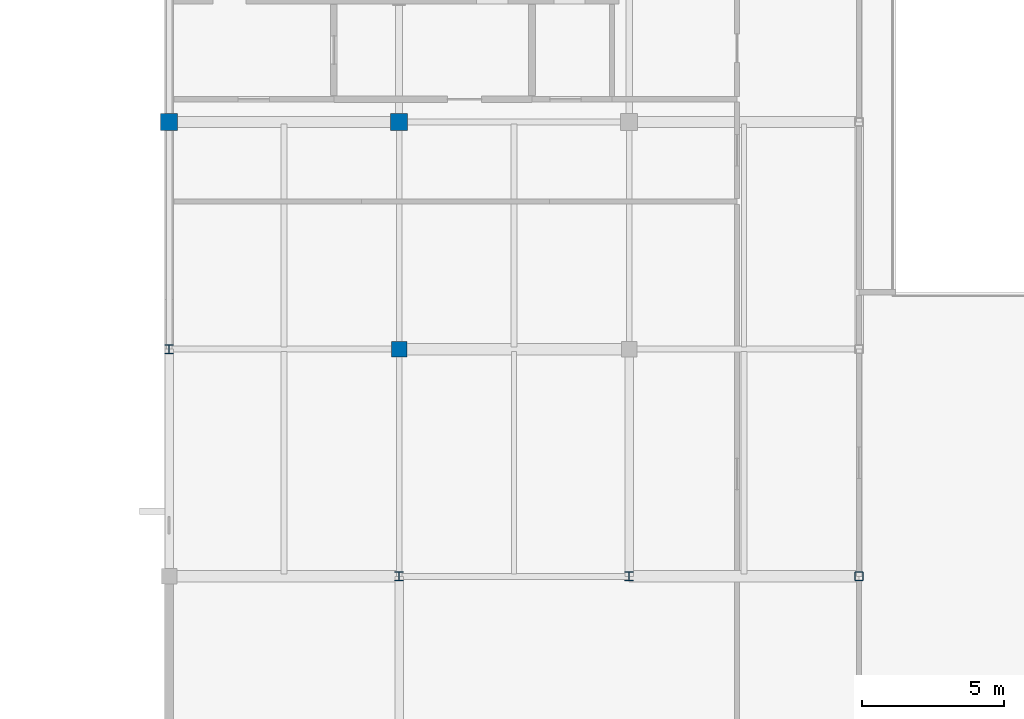
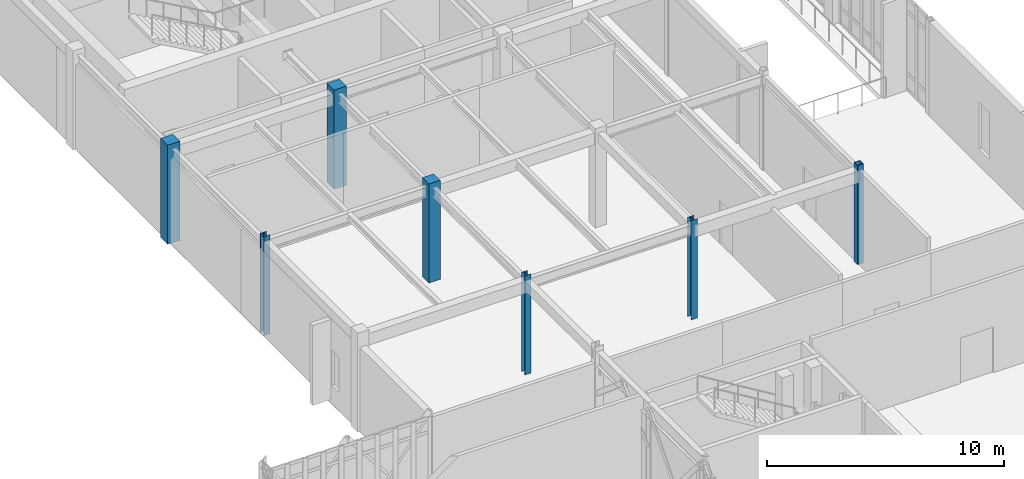
# One storey, part 3 of 107: 7 columns.
"""IFC4 building model written with IfcOpenShell, lengths in metres."""

from ifc_helpers import new_model, si_unit, direction, frame, origin, origin_2d, place, context, subcontext, project, spatial, rectangle, hollow_rectangle, i_section, extrude, material, material_profile, profile_set, type_object, element, save


model = new_model("IFC4")

# Units and contexts
model_context = context("Model", 3, precision=1e-05, world=origin(), true_north=direction((0.0, 1.0)))
body_context = subcontext(model_context, "Body", "Model", "MODEL_VIEW")
ifc_project = project(units=[si_unit("LENGTHUNIT", "METRE"), si_unit("AREAUNIT", "SQUARE_METRE"), si_unit("VOLUMEUNIT", "CUBIC_METRE"), si_unit("PLANEANGLEUNIT", "RADIAN"), si_unit("MASSUNIT", "GRAM", prefix="KILO")], contexts=[model_context])

# Site, building, storey
site_placement = place(None, origin())
site = spatial("IfcSite", under=ifc_project, at=site_placement, CompositionType="ELEMENT")
building_placement = place(site_placement, origin())
building = spatial("IfcBuilding", under=site, at=building_placement, Name="Tarnveldt Square Police Headquarters", CompositionType="ELEMENT")
storey_placement = place(building_placement, frame((0.0, 0.0, 14.699951171875)))
storey = spatial("IfcBuildingStorey", under=building, at=storey_placement, Name="L03", CompositionType="ELEMENT", Elevation=14.699951171875)

# Columns
ifc_material_1 = material(Name="Steel 350W", Category="steel")
ifc_material_profile_1 = material_profile(ifc_material_1, hollow_rectangle(XDim=0.3046875, YDim=0.3046875, WallThickness=0.015869140625, InnerFilletRadius=0.015869140625, OuterFilletRadius=0.03173828125, at=origin_2d()), Name="HSS305x305x16")
ifc_profile_set_1 = profile_set([ifc_material_profile_1], Name="Steel 350W")
column_type_1 = type_object("IfcColumnType", Name="COL-HSS305x16", PredefinedType="COLUMN", material=ifc_profile_set_1)
column_1_placement = place(storey_placement, frame((40.5, 40.0, 0.0), z_axis=(0.0, 0.0, 1.0), x_axis=(1.0, 0.0, 0.0)))
element("IfcColumn", 1, at=column_1_placement, inside=storey, type_object=column_type_1, Name="L03 Column 060", PredefinedType="COLUMN", context=body_context, shape_type="SweptSolid", body=[
    extrude(hollow_rectangle(XDim=0.3046875, YDim=0.3046875, WallThickness=0.015869140625, InnerFilletRadius=0.015869140625, OuterFilletRadius=0.03173828125, at=origin_2d()), origin(), (0.0, 0.0, 1.0), 5.10009765625),
])
ifc_material_2 = material(Name="Concrete 40 MPa", Category="concrete")
ifc_material_profile_2 = material_profile(ifc_material_2, rectangle(XDim=0.550048828125, YDim=0.550048828125, at=origin_2d()), Name="RC-C550x550")
ifc_profile_set_2 = profile_set([ifc_material_profile_2], Name="Concrete 40 MPa")
column_type_2 = type_object("IfcColumnType", Name="COL-RC550", PredefinedType="COLUMN", material=ifc_profile_set_2)
column_2_placement = place(storey_placement, frame((24.300048828125, 48.0, 0.0), z_axis=(0.0, 0.0, 1.0), x_axis=(1.0, 0.0, 0.0)))
element("IfcColumn", 2, at=column_2_placement, inside=storey, type_object=column_type_2, Name="L03 Column 032", PredefinedType="COLUMN", context=body_context, shape_type="SweptSolid", body=[
    extrude(rectangle(XDim=0.550048828125, YDim=0.550048828125, at=origin_2d()), origin(), (0.0, 0.0, 1.0), 5.10009765625),
])
ifc_material_profile_3 = material_profile(ifc_material_2, rectangle(XDim=0.60009765625, YDim=0.60009765625, at=origin_2d()), Name="RC-C600x600")
ifc_profile_set_3 = profile_set([ifc_material_profile_3], Name="Concrete 40 MPa")
column_type_3 = type_object("IfcColumnType", Name="COL-RC600", PredefinedType="COLUMN", material=ifc_profile_set_3)
for number, where, z_axis, x_axis, name in (
    (3, (16.199951171875, 56.0, 0.0), (0.0, 0.0, 1.0), (1.0, 0.0, 0.0), "L03 Column 020"),
    (4, (24.300048828125, 56.0, 0.0), (0.0, 0.0, 1.0), (1.0, 0.0, 0.0), "L03 Column 033"),
):
    element("IfcColumn", number, at=place(storey_placement, frame(where, z_axis=z_axis, x_axis=x_axis)), inside=storey, type_object=column_type_3, Name=name, PredefinedType="COLUMN", context=body_context, shape_type="SweptSolid", body=[
        extrude(rectangle(XDim=0.60009765625, YDim=0.60009765625, at=origin_2d()), origin(), (0.0, 0.0, 1.0), 5.10009765625),
    ])
ifc_material_profile_4 = material_profile(ifc_material_1, i_section(OverallWidth=0.304931640625, OverallDepth=0.30810546875, WebThickness=0.010009765625, FlangeThickness=0.015380859375, FilletRadius=0.014892578125, at=origin_2d()), Name="W310x97")
ifc_profile_set_4 = profile_set([ifc_material_profile_4], Name="Steel 350W")
column_type_4 = type_object("IfcColumnType", Name="COL-W310x97", PredefinedType="COLUMN", material=ifc_profile_set_4)
for number, where, z_axis, x_axis, name in (
    (5, (16.199951171875, 48.0, 0.0), (0.0, 0.0, 1.0), (1.0, 0.0, 0.0), "L03 Column 019"),
    (6, (24.300048828125, 40.0, 0.0), (0.0, 0.0, 1.0), (1.0, 0.0, 0.0), "L03 Column 031"),
    (7, (32.39990234375, 40.0, 0.0), (0.0, 0.0, 1.0), (1.0, 0.0, 0.0), "L03 Column 047"),
):
    element("IfcColumn", number, at=place(storey_placement, frame(where, z_axis=z_axis, x_axis=x_axis)), inside=storey, type_object=column_type_4, Name=name, PredefinedType="COLUMN", context=body_context, shape_type="SweptSolid", body=[
        extrude(i_section(OverallWidth=0.304931640625, OverallDepth=0.30810546875, WebThickness=0.010009765625, FlangeThickness=0.015380859375, FilletRadius=0.014892578125, at=origin_2d()), origin(), (0.0, 0.0, 1.0), 5.10009765625),
    ])

save(model, "model.ifc")
